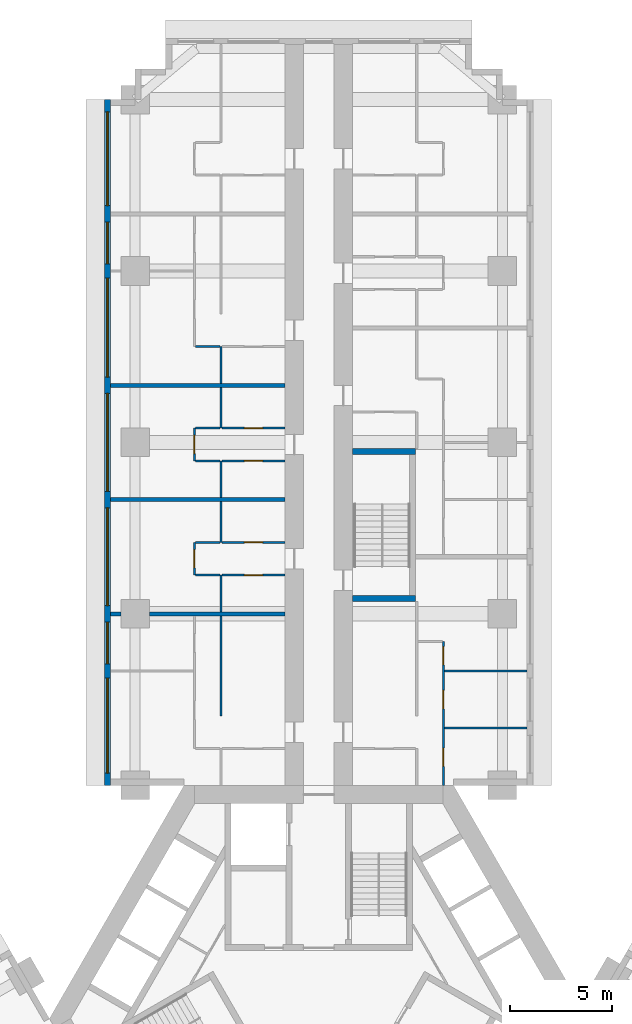
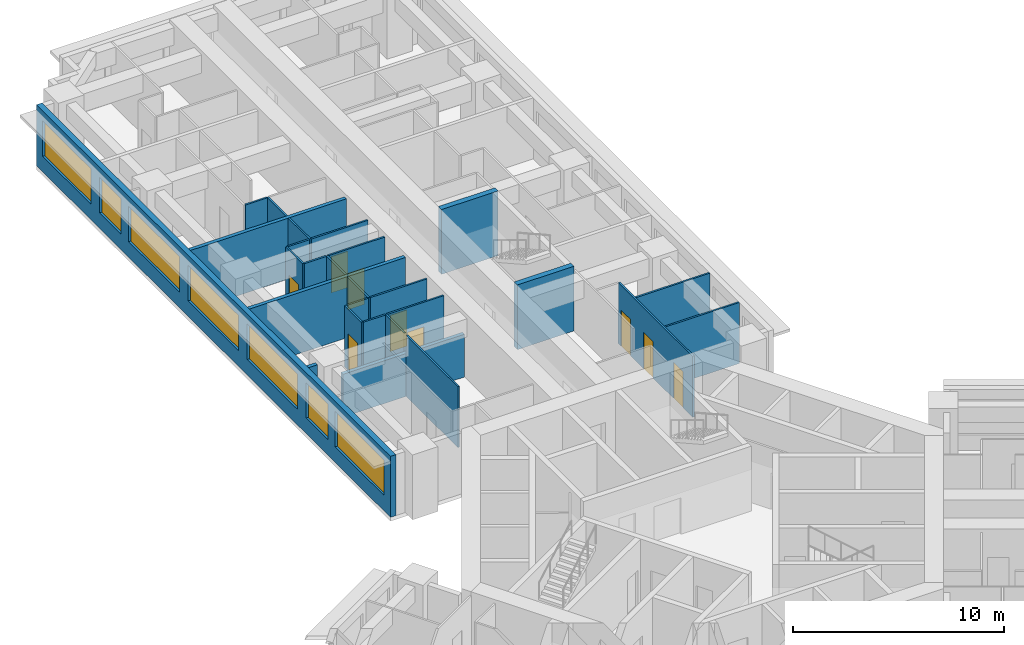
# One storey, part 9 of 16: 27 walls, 9 doors, 7 windows, 16 openings.
"""IFC4 building model written with IfcOpenShell, lengths in metres."""

from ifc_helpers import new_model, si_unit, direction, frame, frame_2d, origin, place, context, subcontext, project, spatial, rectangle, extrude, material, layer, layer_set, type_object, element, fill, save


model = new_model("IFC4")

# Units and contexts
model_context = context("Model", 3, precision=1e-05, world=origin(), true_north=direction((0.0, 1.0)))
body_context = subcontext(model_context, "Body", "Model", "MODEL_VIEW")
ifc_project = project(units=[si_unit("LENGTHUNIT", "METRE"), si_unit("AREAUNIT", "SQUARE_METRE"), si_unit("VOLUMEUNIT", "CUBIC_METRE"), si_unit("PLANEANGLEUNIT", "RADIAN"), si_unit("MASSUNIT", "GRAM", prefix="KILO")], contexts=[model_context])

# Site, building, storey
site_placement = place(None, origin())
site = spatial("IfcSite", under=ifc_project, at=site_placement, CompositionType="ELEMENT")
building_placement = place(site_placement, origin())
building = spatial("IfcBuilding", under=site, at=building_placement, Name="Impinga Residences", CompositionType="ELEMENT")
storey_placement = place(building_placement, frame((0.0, 0.0, 63.5)))
storey = spatial("IfcBuildingStorey", under=building, at=storey_placement, Name="L15", CompositionType="ELEMENT", Elevation=63.5)

# Wall, openings, windows
ifc_material_1 = material(Name="Terracotta rainscreen on blockwork", Category="masonry")
ifc_layer_1 = layer(ifc_material_1, 0.300048828125)
ifc_layer_set_1 = layer_set([ifc_layer_1], Name="EW1 external wall, terracotta rainscreen on blockwork 300")
wall_type_1 = type_object("IfcWallType", Name="EW1 external wall, terracotta rainscreen on blockwork 300", PredefinedType="SOLIDWALL", material=ifc_layer_set_1)
wall_1_placement = place(storey_placement, frame((-10.35009765625, 11.431640625, 0.0), z_axis=(0.0, 0.0, 1.0), x_axis=(0.0, 1.0, 0.0)))
wall_1 = element("IfcWall", 1, at=wall_1_placement, inside=storey, type_object=wall_type_1, Name="External wall EW1 L15", PredefinedType="SOLIDWALL", context=body_context, shape_type="SweptSolid", body=[
    extrude(rectangle(XDim=33.599853515625, YDim=0.300048828125, at=frame_2d((16.7998046875, 0.0))), origin(), (0.0, 0.0, 1.0), 3.530029296875),
])
opening_1_placement = place(wall_1_placement, frame((0.60009765625, 0.0, 0.89990234375)))
opening_1 = element("IfcOpeningElement", 2, at=opening_1_placement, cuts=wall_1, Name="Opening W10", PredefinedType="OPENING", context=body_context, shape_type="SweptSolid", body=[
    extrude(rectangle(XDim=4.64990234375, YDim=2.050048828125, at=frame_2d((2.324951171875, 1.02490234375))), frame((0.0, 0.159912109375, 0.0), z_axis=(0.0, -1.0, 0.0), x_axis=(1.0, 0.0, 0.0)), (0.0, 0.0, 1.0), 0.320068359375),
])
opening_2_placement = place(wall_1_placement, frame((5.949951171875, 0.0, 0.89990234375)))
opening_2 = element("IfcOpeningElement", 3, at=opening_2_placement, cuts=wall_1, Name="Opening W14", PredefinedType="OPENING", context=body_context, shape_type="SweptSolid", body=[
    extrude(rectangle(XDim=2.050048828125, YDim=2.050048828125, at=frame_2d((1.02490234375, 1.02490234375))), frame((0.0, 0.159912109375, 0.0), z_axis=(0.0, -1.0, 0.0), x_axis=(1.0, 0.0, 0.0)), (0.0, 0.0, 1.0), 0.320068359375),
])
opening_3_placement = place(wall_1_placement, frame((8.800048828125, 0.0, 0.89990234375)))
opening_3 = element("IfcOpeningElement", 4, at=opening_3_placement, cuts=wall_1, Name="Opening W8", PredefinedType="OPENING", context=body_context, shape_type="SweptSolid", body=[
    extrude(rectangle(XDim=4.800048828125, YDim=2.050048828125, at=frame_2d((2.39990234375, 1.02490234375))), frame((0.0, 0.159912109375, 0.0), z_axis=(0.0, -1.0, 0.0), x_axis=(1.0, 0.0, 0.0)), (0.0, 0.0, 1.0), 0.320068359375),
])
opening_4_placement = place(wall_1_placement, frame((14.39990234375, 0.0, 0.89990234375)))
opening_4 = element("IfcOpeningElement", 5, at=opening_4_placement, cuts=wall_1, Name="Opening W8", PredefinedType="OPENING", context=body_context, shape_type="SweptSolid", body=[
    extrude(rectangle(XDim=4.800048828125, YDim=2.050048828125, at=frame_2d((2.39990234375, 1.02490234375))), frame((0.0, 0.159912109375, 0.0), z_axis=(0.0, -1.0, 0.0), x_axis=(1.0, 0.0, 0.0)), (0.0, 0.0, 1.0), 0.320068359375),
])
opening_5_placement = place(wall_1_placement, frame((20.0, 0.0, 0.89990234375)))
opening_5 = element("IfcOpeningElement", 6, at=opening_5_placement, cuts=wall_1, Name="Opening W6", PredefinedType="OPENING", context=body_context, shape_type="SweptSolid", body=[
    extrude(rectangle(XDim=4.85009765625, YDim=2.050048828125, at=frame_2d((2.425048828125, 1.02490234375))), frame((0.0, 0.159912109375, 0.0), z_axis=(0.0, -1.0, 0.0), x_axis=(1.0, 0.0, 0.0)), (0.0, 0.0, 1.0), 0.320068359375),
])
opening_6_placement = place(wall_1_placement, frame((25.550048828125, 0.0, 0.89990234375)))
opening_6 = element("IfcOpeningElement", 7, at=opening_6_placement, cuts=wall_1, Name="Opening W14", PredefinedType="OPENING", context=body_context, shape_type="SweptSolid", body=[
    extrude(rectangle(XDim=2.050048828125, YDim=2.050048828125, at=frame_2d((1.02490234375, 1.02490234375))), frame((0.0, 0.159912109375, 0.0), z_axis=(0.0, -1.0, 0.0), x_axis=(1.0, 0.0, 0.0)), (0.0, 0.0, 1.0), 0.320068359375),
])
opening_7_placement = place(wall_1_placement, frame((28.39990234375, 0.0, 0.89990234375)))
opening_7 = element("IfcOpeningElement", 8, at=opening_7_placement, cuts=wall_1, Name="Opening W3", PredefinedType="OPENING", context=body_context, shape_type="SweptSolid", body=[
    extrude(rectangle(XDim=4.60009765625, YDim=2.050048828125, at=frame_2d((2.300048828125, 1.02490234375))), frame((0.0, 0.159912109375, 0.0), z_axis=(0.0, -1.0, 0.0), x_axis=(1.0, 0.0, 0.0)), (0.0, 0.0, 1.0), 0.320068359375),
])
ifc_material_2 = material(Name="Aluminium window, clear double glazing", Category="aluminium")
window_type_1 = type_object("IfcWindowType", Name="W10 ribbon window 4650x2050", PartitioningType="SINGLE_PANEL", PredefinedType="WINDOW", material=ifc_material_2)
window_1_placement = place(opening_1_placement, origin())
window_1 = element("IfcWindow", 9, at=window_1_placement, inside=storey, type_object=window_type_1, Name="Window L15", OverallHeight=2.050048828125, OverallWidth=4.64990234375, PartitioningType="SINGLE_PANEL", PredefinedType="WINDOW", context=body_context, shape_type="SweptSolid", body=[
    extrude(rectangle(XDim=4.64990234375, YDim=2.050048828125, at=frame_2d((2.324951171875, 1.02490234375))), frame((0.0, 0.030029296875, 0.0), z_axis=(0.0, -1.0, 0.0), x_axis=(1.0, 0.0, 0.0)), (0.0, 0.0, 1.0), 0.06005859375),
])
fill(opening_1, window_1)
window_type_2 = type_object("IfcWindowType", Name="W14 ribbon window 2050x2050", PartitioningType="SINGLE_PANEL", PredefinedType="WINDOW", material=ifc_material_2)
window_2_placement = place(opening_2_placement, origin())
window_2 = element("IfcWindow", 10, at=window_2_placement, inside=storey, type_object=window_type_2, Name="Window L15", OverallHeight=2.050048828125, OverallWidth=2.050048828125, PartitioningType="SINGLE_PANEL", PredefinedType="WINDOW", context=body_context, shape_type="SweptSolid", body=[
    extrude(rectangle(XDim=2.050048828125, YDim=2.050048828125, at=frame_2d((1.02490234375, 1.02490234375))), frame((0.0, 0.030029296875, 0.0), z_axis=(0.0, -1.0, 0.0), x_axis=(1.0, 0.0, 0.0)), (0.0, 0.0, 1.0), 0.06005859375),
])
fill(opening_2, window_2)
window_3_placement = place(opening_6_placement, origin())
window_3 = element("IfcWindow", 11, at=window_3_placement, inside=storey, type_object=window_type_2, Name="Window L15", OverallHeight=2.050048828125, OverallWidth=2.050048828125, PartitioningType="SINGLE_PANEL", PredefinedType="WINDOW", context=body_context, shape_type="SweptSolid", body=[
    extrude(rectangle(XDim=2.050048828125, YDim=2.050048828125, at=frame_2d((1.02490234375, 1.02490234375))), frame((0.0, 0.030029296875, 0.0), z_axis=(0.0, -1.0, 0.0), x_axis=(1.0, 0.0, 0.0)), (0.0, 0.0, 1.0), 0.06005859375),
])
fill(opening_6, window_3)
window_type_3 = type_object("IfcWindowType", Name="W3 ribbon window 4600x2050", PartitioningType="SINGLE_PANEL", PredefinedType="WINDOW", material=ifc_material_2)
window_4_placement = place(opening_7_placement, origin())
window_4 = element("IfcWindow", 12, at=window_4_placement, inside=storey, type_object=window_type_3, Name="Window L15", OverallHeight=2.050048828125, OverallWidth=4.60009765625, PartitioningType="SINGLE_PANEL", PredefinedType="WINDOW", context=body_context, shape_type="SweptSolid", body=[
    extrude(rectangle(XDim=4.60009765625, YDim=2.050048828125, at=frame_2d((2.300048828125, 1.02490234375))), frame((0.0, 0.030029296875, 0.0), z_axis=(0.0, -1.0, 0.0), x_axis=(1.0, 0.0, 0.0)), (0.0, 0.0, 1.0), 0.06005859375),
])
fill(opening_7, window_4)
window_type_4 = type_object("IfcWindowType", Name="W6 ribbon window 4850x2050", PartitioningType="SINGLE_PANEL", PredefinedType="WINDOW", material=ifc_material_2)
window_5_placement = place(opening_5_placement, origin())
window_5 = element("IfcWindow", 13, at=window_5_placement, inside=storey, type_object=window_type_4, Name="Window L15", OverallHeight=2.050048828125, OverallWidth=4.85009765625, PartitioningType="SINGLE_PANEL", PredefinedType="WINDOW", context=body_context, shape_type="SweptSolid", body=[
    extrude(rectangle(XDim=4.85009765625, YDim=2.050048828125, at=frame_2d((2.425048828125, 1.02490234375))), frame((0.0, 0.030029296875, 0.0), z_axis=(0.0, -1.0, 0.0), x_axis=(1.0, 0.0, 0.0)), (0.0, 0.0, 1.0), 0.06005859375),
])
fill(opening_5, window_5)
window_type_5 = type_object("IfcWindowType", Name="W8 ribbon window 4800x2050", PartitioningType="SINGLE_PANEL", PredefinedType="WINDOW", material=ifc_material_2)
window_6_placement = place(opening_3_placement, origin())
window_6 = element("IfcWindow", 14, at=window_6_placement, inside=storey, type_object=window_type_5, Name="Window L15", OverallHeight=2.050048828125, OverallWidth=4.800048828125, PartitioningType="SINGLE_PANEL", PredefinedType="WINDOW", context=body_context, shape_type="SweptSolid", body=[
    extrude(rectangle(XDim=4.800048828125, YDim=2.050048828125, at=frame_2d((2.39990234375, 1.02490234375))), frame((0.0, 0.030029296875, 0.0), z_axis=(0.0, -1.0, 0.0), x_axis=(1.0, 0.0, 0.0)), (0.0, 0.0, 1.0), 0.06005859375),
])
fill(opening_3, window_6)
window_7_placement = place(opening_4_placement, origin())
window_7 = element("IfcWindow", 15, at=window_7_placement, inside=storey, type_object=window_type_5, Name="Window L15", OverallHeight=2.050048828125, OverallWidth=4.800048828125, PartitioningType="SINGLE_PANEL", PredefinedType="WINDOW", context=body_context, shape_type="SweptSolid", body=[
    extrude(rectangle(XDim=4.800048828125, YDim=2.050048828125, at=frame_2d((2.39990234375, 1.02490234375))), frame((0.0, 0.030029296875, 0.0), z_axis=(0.0, -1.0, 0.0), x_axis=(1.0, 0.0, 0.0)), (0.0, 0.0, 1.0), 0.06005859375),
])
fill(opening_4, window_7)

# Walls
ifc_material_3 = material(Name="Gypsum board on steel studs", Category="steel")
ifc_layer_2 = layer(ifc_material_3, 0.10009765625)
ifc_layer_set_2 = layer_set([ifc_layer_2], Name="Gypsum board on steel studs")
wall_type_2 = type_object("IfcWallType", Name="IP1 partition 100", PredefinedType="PARTITIONING", material=ifc_layer_set_2)
wall_2_placement = place(storey_placement, frame((-4.800048828125, 14.83154296875, 0.0), z_axis=(0.0, 0.0, 1.0), x_axis=(0.0, 1.0, 0.0)))
element("IfcWall", 16, at=wall_2_placement, inside=storey, type_object=wall_type_2, Name="Partition L15-NA1:DIV1", PredefinedType="PARTITIONING", context=body_context, shape_type="SweptSolid", body=[
    extrude(rectangle(XDim=4.89990234375, YDim=0.10009765625, at=frame_2d((2.449951171875, 0.0))), origin(), (0.0, 0.0, 1.0), 3.530029296875),
])
wall_3_placement = place(storey_placement, frame((-4.800048828125, 19.931640625, 0.0), z_axis=(0.0, 0.0, 1.0), x_axis=(0.0, 1.0, 0.0)))
element("IfcWall", 17, at=wall_3_placement, inside=storey, type_object=wall_type_2, Name="Partition L15-NA2:DIV0", PredefinedType="PARTITIONING", context=body_context, shape_type="SweptSolid", body=[
    extrude(rectangle(XDim=1.7998046875, YDim=0.10009765625, at=frame_2d((0.89990234375, 0.0))), origin(), (0.0, 0.0, 1.0), 3.530029296875),
])
wall_4_placement = place(storey_placement, frame((-4.800048828125, 23.33154296875, 0.0), z_axis=(0.0, 0.0, 1.0), x_axis=(0.0, 1.0, 0.0)))
element("IfcWall", 18, at=wall_4_placement, inside=storey, type_object=wall_type_2, Name="Partition L15-NA2:DIV1", PredefinedType="PARTITIONING", context=body_context, shape_type="SweptSolid", body=[
    extrude(rectangle(XDim=2.0, YDim=0.10009765625, at=frame_2d((1.0, 0.0))), origin(), (0.0, 0.0, 1.0), 3.530029296875),
])

# Wall, opening, door
wall_5_placement = place(storey_placement, frame((-6.10009765625, 21.7314453125, 0.0), z_axis=(0.0, 0.0, 1.0), x_axis=(0.0, 1.0, 0.0)))
wall_5 = element("IfcWall", 19, at=wall_5_placement, inside=storey, type_object=wall_type_2, Name="Partition L15-NA2:STRIP", PredefinedType="PARTITIONING", context=body_context, shape_type="SweptSolid", body=[
    extrude(rectangle(XDim=1.60009765625, YDim=0.10009765625, at=frame_2d((0.800048828125, 0.0))), origin(), (0.0, 0.0, 1.0), 3.530029296875),
])
opening_8_placement = place(wall_5_placement, frame((0.35009765625, 0.0, 0.0)))
opening_8 = element("IfcOpeningElement", 20, at=opening_8_placement, cuts=wall_5, Name="Opening D2", PredefinedType="OPENING", context=body_context, shape_type="SweptSolid", body=[
    extrude(rectangle(XDim=0.89990234375, YDim=2.10009765625, at=frame_2d((0.449951171875, 1.050048828125))), frame((0.0, 0.06005859375, 0.0), z_axis=(0.0, -1.0, 0.0), x_axis=(1.0, 0.0, 0.0)), (0.0, 0.0, 1.0), 0.1201171875),
])
ifc_material_4 = material(Name="Timber door set", Category="wood")
door_type = type_object("IfcDoorType", Name="D2 internal door 900x2100", OperationType="SINGLE_SWING_LEFT", PredefinedType="DOOR", material=ifc_material_4)
door_1_placement = place(opening_8_placement, origin())
door_1 = element("IfcDoor", 21, at=door_1_placement, inside=storey, type_object=door_type, Name="Apartment L15-NA2 room door", OperationType="SINGLE_SWING_LEFT", OverallHeight=2.10009765625, OverallWidth=0.89990234375, PredefinedType="DOOR", context=body_context, shape_type="SweptSolid", body=[
    extrude(rectangle(XDim=0.89990234375, YDim=2.10009765625, at=frame_2d((0.449951171875, 1.050048828125))), frame((0.0, 0.02490234375, 0.0), z_axis=(0.0, -1.0, 0.0), x_axis=(1.0, 0.0, 0.0)), (0.0, 0.0, 1.0), 0.050048828125),
])
fill(opening_8, door_1)

# Walls
for number, where, z_axis, x_axis, name in (
    (22, (-4.85009765625, 21.7314453125, 0.0), (0.0, 0.0, 1.0), (-1.0, 0.0, 0.0), "Partition L15-NA2:SE0"),
    (23, (-4.85009765625, 23.33154296875, 0.0), (0.0, 0.0, 1.0), (-1.0, 0.0, 0.0), "Partition L15-NA2:SE1"),
):
    element("IfcWall", number, at=place(storey_placement, frame(where, z_axis=z_axis, x_axis=x_axis)), inside=storey, type_object=wall_type_2, Name=name, PredefinedType="PARTITIONING", context=body_context, shape_type="SweptSolid", body=[
        extrude(rectangle(XDim=1.199951171875, YDim=0.10009765625, at=frame_2d((0.60009765625, 0.0))), origin(), (0.0, 0.0, 1.0), 3.530029296875),
    ])

# Wall, opening, door
wall_6_placement = place(storey_placement, frame((-1.64990234375, 21.7314453125, 0.0), z_axis=(0.0, 0.0, 1.0), x_axis=(-1.0, 0.0, 0.0)))
wall_6 = element("IfcWall", 24, at=wall_6_placement, inside=storey, type_object=wall_type_2, Name="Partition L15-NA2:IB1", PredefinedType="PARTITIONING", context=body_context, shape_type="SweptSolid", body=[
    extrude(rectangle(XDim=3.10009765625, YDim=0.10009765625, at=frame_2d((1.550048828125, 0.0))), origin(), (0.0, 0.0, 1.0), 3.530029296875),
])
opening_9_placement = place(wall_6_placement, frame((1.10009765625, 0.0, 0.0)))
opening_9 = element("IfcOpeningElement", 25, at=opening_9_placement, cuts=wall_6, Name="Opening D2", PredefinedType="OPENING", context=body_context, shape_type="SweptSolid", body=[
    extrude(rectangle(XDim=0.89990234375, YDim=2.10009765625, at=frame_2d((0.449951171875, 1.050048828125))), frame((0.0, 0.06005859375, 0.0), z_axis=(0.0, -1.0, 0.0), x_axis=(1.0, 0.0, 0.0)), (0.0, 0.0, 1.0), 0.1201171875),
])
door_2_placement = place(opening_9_placement, origin())
door_2 = element("IfcDoor", 26, at=door_2_placement, inside=storey, type_object=door_type, Name="Apartment L15-NA2 bathroom door", OperationType="SINGLE_SWING_LEFT", OverallHeight=2.10009765625, OverallWidth=0.89990234375, PredefinedType="DOOR", context=body_context, shape_type="SweptSolid", body=[
    extrude(rectangle(XDim=0.89990234375, YDim=2.10009765625, at=frame_2d((0.449951171875, 1.050048828125))), frame((0.0, 0.02490234375, 0.0), z_axis=(0.0, -1.0, 0.0), x_axis=(1.0, 0.0, 0.0)), (0.0, 0.0, 1.0), 0.050048828125),
])
fill(opening_9, door_2)

wall_7_placement = place(storey_placement, frame((-1.64990234375, 23.33154296875, 0.0), z_axis=(0.0, 0.0, 1.0), x_axis=(-1.0, 0.0, 0.0)))
wall_7 = element("IfcWall", 27, at=wall_7_placement, inside=storey, type_object=wall_type_2, Name="Partition L15-NA2:IB2", PredefinedType="PARTITIONING", context=body_context, shape_type="SweptSolid", body=[
    extrude(rectangle(XDim=3.10009765625, YDim=0.10009765625, at=frame_2d((1.550048828125, 0.0))), origin(), (0.0, 0.0, 1.0), 3.530029296875),
])
opening_10_placement = place(wall_7_placement, frame((1.10009765625, 0.0, 0.0)))
opening_10 = element("IfcOpeningElement", 28, at=opening_10_placement, cuts=wall_7, Name="Opening D2", PredefinedType="OPENING", context=body_context, shape_type="SweptSolid", body=[
    extrude(rectangle(XDim=0.89990234375, YDim=2.10009765625, at=frame_2d((0.449951171875, 1.050048828125))), frame((0.0, 0.06005859375, 0.0), z_axis=(0.0, -1.0, 0.0), x_axis=(1.0, 0.0, 0.0)), (0.0, 0.0, 1.0), 0.1201171875),
])
door_3_placement = place(opening_10_placement, origin())
door_3 = element("IfcDoor", 29, at=door_3_placement, inside=storey, type_object=door_type, Name="Apartment L15-NA2 WC door", OperationType="SINGLE_SWING_LEFT", OverallHeight=2.10009765625, OverallWidth=0.89990234375, PredefinedType="DOOR", context=body_context, shape_type="SweptSolid", body=[
    extrude(rectangle(XDim=0.89990234375, YDim=2.10009765625, at=frame_2d((0.449951171875, 1.050048828125))), frame((0.0, 0.02490234375, 0.0), z_axis=(0.0, -1.0, 0.0), x_axis=(1.0, 0.0, 0.0)), (0.0, 0.0, 1.0), 0.050048828125),
])
fill(opening_10, door_3)

# Walls
wall_8_placement = place(storey_placement, frame((-4.800048828125, 25.531494140625, 0.0), z_axis=(0.0, 0.0, 1.0), x_axis=(0.0, 1.0, 0.0)))
element("IfcWall", 30, at=wall_8_placement, inside=storey, type_object=wall_type_2, Name="Partition L15-NA3:DIV0", PredefinedType="PARTITIONING", context=body_context, shape_type="SweptSolid", body=[
    extrude(rectangle(XDim=1.800048828125, YDim=0.10009765625, at=frame_2d((0.89990234375, 0.0))), origin(), (0.0, 0.0, 1.0), 3.530029296875),
])
wall_9_placement = place(storey_placement, frame((-4.800048828125, 28.931640625, 0.0), z_axis=(0.0, 0.0, 1.0), x_axis=(0.0, 1.0, 0.0)))
element("IfcWall", 31, at=wall_9_placement, inside=storey, type_object=wall_type_2, Name="Partition L15-NA3:DIV1", PredefinedType="PARTITIONING", context=body_context, shape_type="SweptSolid", body=[
    extrude(rectangle(XDim=2.0, YDim=0.10009765625, at=frame_2d((1.0, 0.0))), origin(), (0.0, 0.0, 1.0), 3.530029296875),
])

# Wall, opening, door
wall_10_placement = place(storey_placement, frame((-6.10009765625, 27.33154296875, 0.0), z_axis=(0.0, 0.0, 1.0), x_axis=(0.0, 1.0, 0.0)))
wall_10 = element("IfcWall", 32, at=wall_10_placement, inside=storey, type_object=wall_type_2, Name="Partition L15-NA3:STRIP", PredefinedType="PARTITIONING", context=body_context, shape_type="SweptSolid", body=[
    extrude(rectangle(XDim=1.60009765625, YDim=0.10009765625, at=frame_2d((0.800048828125, 0.0))), origin(), (0.0, 0.0, 1.0), 3.530029296875),
])
opening_11_placement = place(wall_10_placement, frame((0.35009765625, 0.0, 0.0)))
opening_11 = element("IfcOpeningElement", 33, at=opening_11_placement, cuts=wall_10, Name="Opening D2", PredefinedType="OPENING", context=body_context, shape_type="SweptSolid", body=[
    extrude(rectangle(XDim=0.89990234375, YDim=2.10009765625, at=frame_2d((0.449951171875, 1.050048828125))), frame((0.0, 0.06005859375, 0.0), z_axis=(0.0, -1.0, 0.0), x_axis=(1.0, 0.0, 0.0)), (0.0, 0.0, 1.0), 0.1201171875),
])
door_4_placement = place(opening_11_placement, origin())
door_4 = element("IfcDoor", 34, at=door_4_placement, inside=storey, type_object=door_type, Name="Apartment L15-NA3 room door", OperationType="SINGLE_SWING_LEFT", OverallHeight=2.10009765625, OverallWidth=0.89990234375, PredefinedType="DOOR", context=body_context, shape_type="SweptSolid", body=[
    extrude(rectangle(XDim=0.89990234375, YDim=2.10009765625, at=frame_2d((0.449951171875, 1.050048828125))), frame((0.0, 0.02490234375, 0.0), z_axis=(0.0, -1.0, 0.0), x_axis=(1.0, 0.0, 0.0)), (0.0, 0.0, 1.0), 0.050048828125),
])
fill(opening_11, door_4)

# Walls
for number, where, z_axis, x_axis, name in (
    (35, (-4.85009765625, 27.33154296875, 0.0), (0.0, 0.0, 1.0), (-1.0, 0.0, 0.0), "Partition L15-NA3:SE0"),
    (36, (-4.85009765625, 28.931640625, 0.0), (0.0, 0.0, 1.0), (-1.0, 0.0, 0.0), "Partition L15-NA3:SE1"),
):
    element("IfcWall", number, at=place(storey_placement, frame(where, z_axis=z_axis, x_axis=x_axis)), inside=storey, type_object=wall_type_2, Name=name, PredefinedType="PARTITIONING", context=body_context, shape_type="SweptSolid", body=[
        extrude(rectangle(XDim=1.199951171875, YDim=0.10009765625, at=frame_2d((0.60009765625, 0.0))), origin(), (0.0, 0.0, 1.0), 3.530029296875),
    ])

# Wall, opening, door
wall_11_placement = place(storey_placement, frame((-1.64990234375, 27.33154296875, 0.0), z_axis=(0.0, 0.0, 1.0), x_axis=(-1.0, 0.0, 0.0)))
wall_11 = element("IfcWall", 37, at=wall_11_placement, inside=storey, type_object=wall_type_2, Name="Partition L15-NA3:IB1", PredefinedType="PARTITIONING", context=body_context, shape_type="SweptSolid", body=[
    extrude(rectangle(XDim=3.10009765625, YDim=0.10009765625, at=frame_2d((1.550048828125, 0.0))), origin(), (0.0, 0.0, 1.0), 3.530029296875),
])
opening_12_placement = place(wall_11_placement, frame((1.10009765625, 0.0, 0.0)))
opening_12 = element("IfcOpeningElement", 38, at=opening_12_placement, cuts=wall_11, Name="Opening D2", PredefinedType="OPENING", context=body_context, shape_type="SweptSolid", body=[
    extrude(rectangle(XDim=0.89990234375, YDim=2.10009765625, at=frame_2d((0.449951171875, 1.050048828125))), frame((0.0, 0.06005859375, 0.0), z_axis=(0.0, -1.0, 0.0), x_axis=(1.0, 0.0, 0.0)), (0.0, 0.0, 1.0), 0.1201171875),
])
door_5_placement = place(opening_12_placement, origin())
door_5 = element("IfcDoor", 39, at=door_5_placement, inside=storey, type_object=door_type, Name="Apartment L15-NA3 bathroom door", OperationType="SINGLE_SWING_LEFT", OverallHeight=2.10009765625, OverallWidth=0.89990234375, PredefinedType="DOOR", context=body_context, shape_type="SweptSolid", body=[
    extrude(rectangle(XDim=0.89990234375, YDim=2.10009765625, at=frame_2d((0.449951171875, 1.050048828125))), frame((0.0, 0.02490234375, 0.0), z_axis=(0.0, -1.0, 0.0), x_axis=(1.0, 0.0, 0.0)), (0.0, 0.0, 1.0), 0.050048828125),
])
fill(opening_12, door_5)

wall_12_placement = place(storey_placement, frame((-1.64990234375, 28.931640625, 0.0), z_axis=(0.0, 0.0, 1.0), x_axis=(-1.0, 0.0, 0.0)))
wall_12 = element("IfcWall", 40, at=wall_12_placement, inside=storey, type_object=wall_type_2, Name="Partition L15-NA3:IB2", PredefinedType="PARTITIONING", context=body_context, shape_type="SweptSolid", body=[
    extrude(rectangle(XDim=3.10009765625, YDim=0.10009765625, at=frame_2d((1.550048828125, 0.0))), origin(), (0.0, 0.0, 1.0), 3.530029296875),
])
opening_13_placement = place(wall_12_placement, frame((1.10009765625, 0.0, 0.0)))
opening_13 = element("IfcOpeningElement", 41, at=opening_13_placement, cuts=wall_12, Name="Opening D2", PredefinedType="OPENING", context=body_context, shape_type="SweptSolid", body=[
    extrude(rectangle(XDim=0.89990234375, YDim=2.10009765625, at=frame_2d((0.449951171875, 1.050048828125))), frame((0.0, 0.06005859375, 0.0), z_axis=(0.0, -1.0, 0.0), x_axis=(1.0, 0.0, 0.0)), (0.0, 0.0, 1.0), 0.1201171875),
])
door_6_placement = place(opening_13_placement, origin())
door_6 = element("IfcDoor", 42, at=door_6_placement, inside=storey, type_object=door_type, Name="Apartment L15-NA3 WC door", OperationType="SINGLE_SWING_LEFT", OverallHeight=2.10009765625, OverallWidth=0.89990234375, PredefinedType="DOOR", context=body_context, shape_type="SweptSolid", body=[
    extrude(rectangle(XDim=0.89990234375, YDim=2.10009765625, at=frame_2d((0.449951171875, 1.050048828125))), frame((0.0, 0.02490234375, 0.0), z_axis=(0.0, -1.0, 0.0), x_axis=(1.0, 0.0, 0.0)), (0.0, 0.0, 1.0), 0.050048828125),
])
fill(opening_13, door_6)

# Walls
wall_13_placement = place(storey_placement, frame((-4.800048828125, 31.131591796875, 0.0), z_axis=(0.0, 0.0, 1.0), x_axis=(0.0, 1.0, 0.0)))
element("IfcWall", 43, at=wall_13_placement, inside=storey, type_object=wall_type_2, Name="Partition L15-NA4:DIV0", PredefinedType="PARTITIONING", context=body_context, shape_type="SweptSolid", body=[
    extrude(rectangle(XDim=1.800048828125, YDim=0.10009765625, at=frame_2d((0.89990234375, 0.0))), origin(), (0.0, 0.0, 1.0), 3.530029296875),
])
wall_14_placement = place(storey_placement, frame((-4.85009765625, 32.931640625, 0.0), z_axis=(0.0, 0.0, 1.0), x_axis=(-1.0, 0.0, 0.0)))
element("IfcWall", 44, at=wall_14_placement, inside=storey, type_object=wall_type_2, Name="Partition L15-NA4:SE0", PredefinedType="PARTITIONING", context=body_context, shape_type="SweptSolid", body=[
    extrude(rectangle(XDim=1.199951171875, YDim=0.10009765625, at=frame_2d((0.60009765625, 0.0))), origin(), (0.0, 0.0, 1.0), 3.530029296875),
])

# Wall, openings, doors
wall_15_placement = place(storey_placement, frame((6.10009765625, 11.431640625, 0.0), z_axis=(0.0, 0.0, 1.0), x_axis=(0.0, 1.0, 0.0)))
wall_15 = element("IfcWall", 45, at=wall_15_placement, inside=storey, type_object=wall_type_2, Name="Partition L15-NF1:STRIP", PredefinedType="PARTITIONING", context=body_context, shape_type="SweptSolid", body=[
    extrude(rectangle(XDim=7.0498046875, YDim=0.10009765625, at=frame_2d((3.52490234375, 0.0))), origin(), (0.0, 0.0, 1.0), 3.530029296875),
])
opening_14_placement = place(wall_15_placement, frame((0.925048828125, 0.0, 0.0)))
opening_14 = element("IfcOpeningElement", 46, at=opening_14_placement, cuts=wall_15, Name="Opening D2", PredefinedType="OPENING", context=body_context, shape_type="SweptSolid", body=[
    extrude(rectangle(XDim=0.89990234375, YDim=2.10009765625, at=frame_2d((0.449951171875, 1.050048828125))), frame((0.0, 0.06005859375, 0.0), z_axis=(0.0, -1.0, 0.0), x_axis=(1.0, 0.0, 0.0)), (0.0, 0.0, 1.0), 0.1201171875),
])
opening_15_placement = place(wall_15_placement, frame((3.75, 0.0, 0.0)))
opening_15 = element("IfcOpeningElement", 47, at=opening_15_placement, cuts=wall_15, Name="Opening D2", PredefinedType="OPENING", context=body_context, shape_type="SweptSolid", body=[
    extrude(rectangle(XDim=0.89990234375, YDim=2.10009765625, at=frame_2d((0.449951171875, 1.050048828125))), frame((0.0, 0.06005859375, 0.0), z_axis=(0.0, -1.0, 0.0), x_axis=(1.0, 0.0, 0.0)), (0.0, 0.0, 1.0), 0.1201171875),
])
opening_16_placement = place(wall_15_placement, frame((5.89990234375, 0.0, 0.0)))
opening_16 = element("IfcOpeningElement", 48, at=opening_16_placement, cuts=wall_15, Name="Opening D2", PredefinedType="OPENING", context=body_context, shape_type="SweptSolid", body=[
    extrude(rectangle(XDim=0.89990234375, YDim=2.10009765625, at=frame_2d((0.449951171875, 1.050048828125))), frame((0.0, 0.06005859375, 0.0), z_axis=(0.0, -1.0, 0.0), x_axis=(1.0, 0.0, 0.0)), (0.0, 0.0, 1.0), 0.1201171875),
])
door_7_placement = place(opening_14_placement, origin())
door_7 = element("IfcDoor", 49, at=door_7_placement, inside=storey, type_object=door_type, Name="Apartment L15-NF1 room door", OperationType="SINGLE_SWING_LEFT", OverallHeight=2.10009765625, OverallWidth=0.89990234375, PredefinedType="DOOR", context=body_context, shape_type="SweptSolid", body=[
    extrude(rectangle(XDim=0.89990234375, YDim=2.10009765625, at=frame_2d((0.449951171875, 1.050048828125))), frame((0.0, 0.02490234375, 0.0), z_axis=(0.0, -1.0, 0.0), x_axis=(1.0, 0.0, 0.0)), (0.0, 0.0, 1.0), 0.050048828125),
])
fill(opening_14, door_7)
door_8_placement = place(opening_15_placement, origin())
door_8 = element("IfcDoor", 50, at=door_8_placement, inside=storey, type_object=door_type, Name="Apartment L15-NF1 room door", OperationType="SINGLE_SWING_RIGHT", OverallHeight=2.10009765625, OverallWidth=0.89990234375, PredefinedType="DOOR", context=body_context, shape_type="SweptSolid", body=[
    extrude(rectangle(XDim=0.89990234375, YDim=2.10009765625, at=frame_2d((0.449951171875, 1.050048828125))), frame((0.0, 0.02490234375, 0.0), z_axis=(0.0, -1.0, 0.0), x_axis=(1.0, 0.0, 0.0)), (0.0, 0.0, 1.0), 0.050048828125),
])
fill(opening_15, door_8)
door_9_placement = place(opening_16_placement, origin())
door_9 = element("IfcDoor", 51, at=door_9_placement, inside=storey, type_object=door_type, Name="Apartment L15-NF1 room door", OperationType="SINGLE_SWING_RIGHT", OverallHeight=2.10009765625, OverallWidth=0.89990234375, PredefinedType="DOOR", context=body_context, shape_type="SweptSolid", body=[
    extrude(rectangle(XDim=0.89990234375, YDim=2.10009765625, at=frame_2d((0.449951171875, 1.050048828125))), frame((0.0, 0.02490234375, 0.0), z_axis=(0.0, -1.0, 0.0), x_axis=(1.0, 0.0, 0.0)), (0.0, 0.0, 1.0), 0.050048828125),
])
fill(opening_16, door_9)

# Walls
for number, where, z_axis, x_axis, name in (
    (52, (6.14990234375, 14.2314453125, 0.0), (0.0, 0.0, 1.0), (1.0, 0.0, 0.0), "Partition L15-NF1:OB1"),
    (53, (6.14990234375, 17.031494140625, 0.0), (0.0, 0.0, 1.0), (1.0, 0.0, 0.0), "Partition L15-NF1:OB2"),
):
    element("IfcWall", number, at=place(storey_placement, frame(where, z_axis=z_axis, x_axis=x_axis)), inside=storey, type_object=wall_type_2, Name=name, PredefinedType="PARTITIONING", context=body_context, shape_type="SweptSolid", body=[
        extrude(rectangle(XDim=4.050048828125, YDim=0.10009765625, at=frame_2d((2.02490234375, 0.0))), origin(), (0.0, 0.0, 1.0), 3.530029296875),
    ])
ifc_material_5 = material(Name="Concrete blockwork", Category="masonry")
ifc_layer_3 = layer(ifc_material_5, 0.199951171875)
ifc_layer_set_3 = layer_set([ifc_layer_3], Name="PW1 party wall between apartments 200")
wall_type_3 = type_object("IfcWallType", Name="PW1 party wall between apartments 200", PredefinedType="SOLIDWALL", material=ifc_layer_set_3)
wall_16_placement = place(storey_placement, frame((-1.64990234375, 19.83154296875, 0.0), z_axis=(0.0, 0.0, 1.0), x_axis=(-1.0, 0.0, 0.0)))
element("IfcWall", 54, at=wall_16_placement, inside=storey, type_object=wall_type_3, Name="Party wall between apartments L15-NA1:PARTY", PredefinedType="SOLIDWALL", context=body_context, shape_type="SweptSolid", body=[
    extrude(rectangle(XDim=6.650146484375, YDim=0.199951171875, at=frame_2d((3.3251953125, 0.0))), origin(), (0.0, 0.0, 1.0), 2.47998046875),
])
wall_17_placement = place(storey_placement, frame((-9.699951171875, 19.83154296875, 0.0), z_axis=(0.0, 0.0, 1.0), x_axis=(-1.0, 0.0, 0.0)))
element("IfcWall", 55, at=wall_17_placement, inside=storey, type_object=wall_type_3, Name="Party wall between apartments L15-NA1:PARTYb", PredefinedType="SOLIDWALL", context=body_context, shape_type="SweptSolid", body=[
    extrude(rectangle(XDim=0.5, YDim=0.199951171875, at=frame_2d((0.25, 0.0))), origin(), (0.0, 0.0, 1.0), 3.530029296875),
])
for number, where, z_axis, x_axis, name in (
    (56, (-1.64990234375, 25.431640625, 0.0), (0.0, 0.0, 1.0), (-1.0, 0.0, 0.0), "Party wall between apartments L15-NA2:PARTY"),
    (57, (-1.64990234375, 31.031494140625, 0.0), (0.0, 0.0, 1.0), (-1.0, 0.0, 0.0), "Party wall between apartments L15-NA3:PARTY"),
):
    element("IfcWall", number, at=place(storey_placement, frame(where, z_axis=z_axis, x_axis=x_axis)), inside=storey, type_object=wall_type_3, Name=name, PredefinedType="SOLIDWALL", context=body_context, shape_type="SweptSolid", body=[
        extrude(rectangle(XDim=8.550048828125, YDim=0.199951171875, at=frame_2d((4.27490234375, 0.0))), origin(), (0.0, 0.0, 1.0), 3.530029296875),
    ])
ifc_material_6 = material(Name="Concrete C60/75", Category="concrete")
ifc_layer_4 = layer(ifc_material_6, 0.300048828125)
ifc_layer_set_4 = layer_set([ifc_layer_4], Name="Concrete C60/75")
wall_type_4 = type_object("IfcWallType", Name="SE1 wing stair enclosure wall 300", PredefinedType="SOLIDWALL", material=ifc_layer_set_4)
for number, where, z_axis, x_axis, name in (
    (58, (1.64990234375, 20.58154296875, 0.0), (0.0, 0.0, 1.0), (1.0, 0.0, 0.0), "Stair enclosure wall SE1 N END0 L15"),
    (59, (1.64990234375, 27.781494140625, 0.0), (0.0, 0.0, 1.0), (1.0, 0.0, 0.0), "Stair enclosure wall SE1 N END1 L15"),
):
    element("IfcWall", number, at=place(storey_placement, frame(where, z_axis=z_axis, x_axis=x_axis)), inside=storey, type_object=wall_type_4, Name=name, PredefinedType="SOLIDWALL", context=body_context, shape_type="SweptSolid", body=[
        extrude(rectangle(XDim=3.10009765625, YDim=0.300048828125, at=frame_2d((1.550048828125, 0.0))), origin(), (0.0, 0.0, 1.0), 3.75),
    ])

save(model, "model.ifc")
